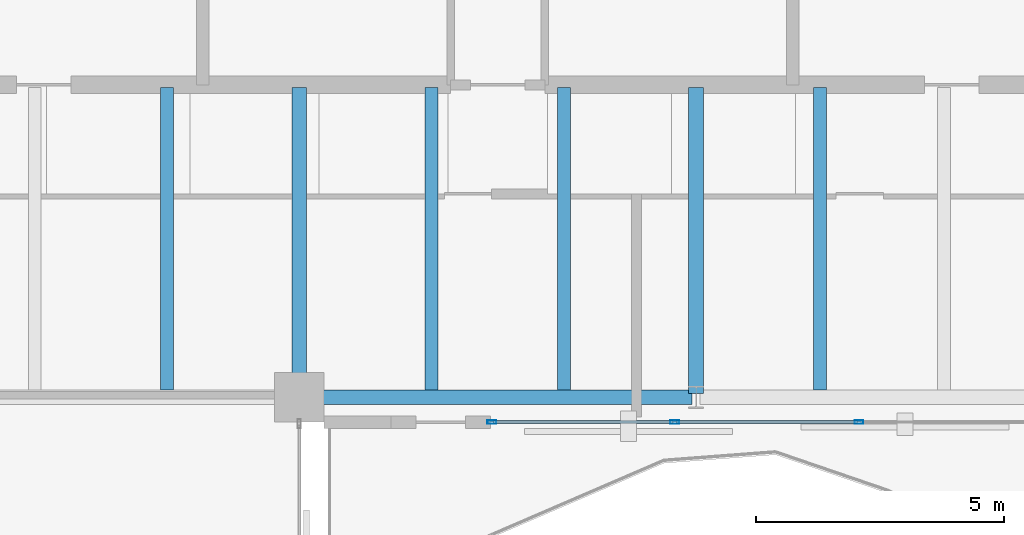
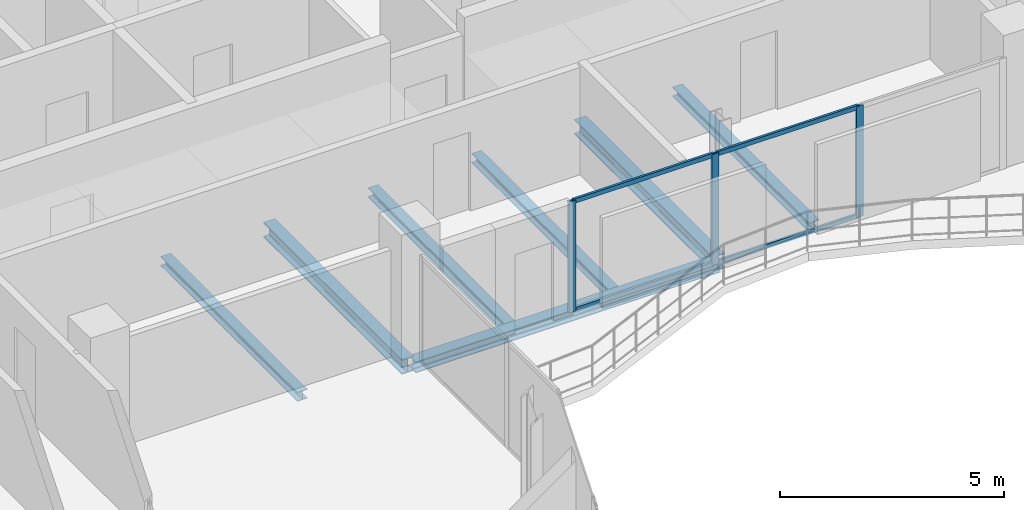
# One storey, part 11 of 23: 7 beams, 7 members, 1 element without a shape of its own.
"""IFC4 building model written with IfcOpenShell, lengths in metres."""

from ifc_helpers import new_model, si_unit, direction, frame, origin, origin_2d, place, context, subcontext, project, spatial, hollow_rectangle, i_section, extrude, material, layer, layer_set, material_profile, profile_set, type_object, element, aggregate, save


model = new_model("IFC4")

# Units and contexts
model_context = context("Model", 3, precision=1e-05, world=origin(), true_north=direction((0.0, 1.0)))
body_context = subcontext(model_context, "Body", "Model", "MODEL_VIEW")
ifc_project = project(units=[si_unit("LENGTHUNIT", "METRE"), si_unit("AREAUNIT", "SQUARE_METRE"), si_unit("VOLUMEUNIT", "CUBIC_METRE"), si_unit("PLANEANGLEUNIT", "RADIAN"), si_unit("MASSUNIT", "GRAM", prefix="KILO")], contexts=[model_context])

# Site, building, storey
site_placement = place(None, origin())
site = spatial("IfcSite", under=ifc_project, at=site_placement, CompositionType="ELEMENT")
building_placement = place(site_placement, origin())
building = spatial("IfcBuilding", under=site, at=building_placement, Name="Catumbela Crestline Tower", CompositionType="ELEMENT")
storey_placement = place(building_placement, frame((0.0, 0.0, 197.4)))
storey = spatial("IfcBuildingStorey", under=building, at=storey_placement, Name="L51", CompositionType="ELEMENT", Elevation=197.4)

# Beams
ifc_material_1 = material(Name="Structural steel S355J2", Category="steel")
ifc_material_profile_1 = material_profile(ifc_material_1, i_section(OverallWidth=0.3, OverallDepth=0.4, WebThickness=0.0135, FlangeThickness=0.024, FilletRadius=0.027, at=origin_2d()), Name="HEB 400")
ifc_profile_set_1 = profile_set([ifc_material_profile_1], Name="Structural steel S355J2")
beam_type_1 = type_object("IfcBeamType", Name="BG-HEB400", PredefinedType="BEAM", material=ifc_profile_set_1)
for number, where, z_axis, x_axis, name in (
    (1, (24.0, 24.58, -0.46), (0.0, 1.0, 0.0), (-1.0, 0.0, 0.0), "L51 Beam BM-L51-SNS18"),
    (2, (32.0, 24.58, -0.46), (0.0, 1.0, 0.0), (-1.0, 0.0, 0.0), "L51 Beam BM-L51-SNS19"),
):
    element("IfcBeam", number, at=place(storey_placement, frame(where, z_axis=z_axis, x_axis=x_axis)), inside=storey, type_object=beam_type_1, Name=name, PredefinedType="BEAM", context=body_context, shape_type="SweptSolid", body=[
        extrude(i_section(OverallWidth=0.3, OverallDepth=0.4, WebThickness=0.0135, FlangeThickness=0.024, FilletRadius=0.027, at=origin_2d()), origin(), (0.0, 0.0, 1.0), 6.17),
    ])
ifc_material_profile_2 = material_profile(ifc_material_1, i_section(OverallWidth=0.26, OverallDepth=0.25, WebThickness=0.0075, FlangeThickness=0.0125, FilletRadius=0.024, at=origin_2d()), Name="HEA 260")
ifc_profile_set_2 = profile_set([ifc_material_profile_2], Name="Structural steel S355J2")
beam_type_2 = type_object("IfcBeamType", Name="BJ-HEA260", PredefinedType="JOIST", material=ifc_profile_set_2)
for number, where, z_axis, x_axis, name in (
    (3, (21.333, 24.647, -0.385), (0.0, 1.0, 0.0), (-1.0, 0.0, 0.0), "L51 Joist JS-L51-SP27"),
    (4, (26.667, 24.647, -0.385), (0.0, 1.0, 0.0), (-1.0, 0.0, 0.0), "L51 Joist JS-L51-SP28"),
    (5, (29.333, 24.647, -0.385), (0.0, 1.0, 0.0), (-1.0, 0.0, 0.0), "L51 Joist JS-L51-SP29"),
    (6, (34.5, 24.647, -0.385), (0.0, 1.0, 0.0), (-1.0, 0.0, 0.0), "L51 Joist JS-L51-SP30"),
):
    element("IfcBeam", number, at=place(storey_placement, frame(where, z_axis=z_axis, x_axis=x_axis)), inside=storey, type_object=beam_type_2, Name=name, PredefinedType="JOIST", context=body_context, shape_type="SweptSolid", body=[
        extrude(i_section(OverallWidth=0.26, OverallDepth=0.25, WebThickness=0.0075, FlangeThickness=0.0125, FilletRadius=0.024, at=origin_2d()), origin(), (0.0, 0.0, 1.0), 6.103),
    ])

# Curtain wall, members
ifc_material_2 = material(Name="Aluminium alloy AW-6060-T66", Category="aluminium")
ifc_layer = layer(ifc_material_2, 0.18, Name="Aluminium alloy AW-6060-T66")
ifc_layer_set = layer_set([ifc_layer], Name="Aluminium alloy AW-6060-T66")
curtain_wall_type = type_object("IfcCurtainWallType", Name="CWU-Z3", PredefinedType="USERDEFINED", material=ifc_layer_set)
curtain_wall_placement = place(storey_placement, origin())
curtain_wall = element("IfcCurtainWall", 7, at=curtain_wall_placement, inside=storey, type_object=curtain_wall_type, Name="L51 Unitised Curtain Wall CW-L51-E3S2", ObjectType="UNITISED", PredefinedType="USERDEFINED")
ifc_material_profile_3 = material_profile(ifc_material_2, hollow_rectangle(XDim=0.065, YDim=0.18, WallThickness=0.004, at=origin_2d()), Name="ALU 180x65x4")
ifc_profile_set_3 = profile_set([ifc_material_profile_3], Name="Aluminium alloy AW-6060-T66")
member_type_1 = type_object("IfcMemberType", Name="MUL-180X65", PredefinedType="MULLION", material=ifc_profile_set_3)
member_1_placement = place(storey_placement, frame((27.8825, 24.0, 0.0), z_axis=(0.0, 0.0, 1.0), x_axis=(0.0, 1.0, 0.0)))
member_1 = element("IfcMember", 8, at=member_1_placement, type_object=member_type_1, Name="CWU-Z3 mullion 1", PredefinedType="MULLION", context=body_context, shape_type="SweptSolid", body=[
    extrude(hollow_rectangle(XDim=0.065, YDim=0.18, WallThickness=0.004, at=origin_2d()), origin(), (0.0, 0.0, 1.0), 3.02),
])
member_2_placement = place(storey_placement, frame((31.5667, 24.0, 0.0), z_axis=(0.0, 0.0, 1.0), x_axis=(0.0, 1.0, 0.0)))
member_2 = element("IfcMember", 9, at=member_2_placement, type_object=member_type_1, Name="CWU-Z3 mullion 2", PredefinedType="MULLION", context=body_context, shape_type="SweptSolid", body=[
    extrude(hollow_rectangle(XDim=0.065, YDim=0.18, WallThickness=0.004, at=origin_2d()), origin(), (0.0, 0.0, 1.0), 3.02),
])
member_3_placement = place(storey_placement, frame((35.2833, 24.0, 0.0), z_axis=(0.0, 0.0, 1.0), x_axis=(0.0, 1.0, 0.0)))
member_3 = element("IfcMember", 10, at=member_3_placement, type_object=member_type_1, Name="CWU-Z3 mullion 3", PredefinedType="MULLION", context=body_context, shape_type="SweptSolid", body=[
    extrude(hollow_rectangle(XDim=0.065, YDim=0.18, WallThickness=0.004, at=origin_2d()), origin(), (0.0, 0.0, 1.0), 3.02),
])

# Beam
ifc_material_profile_4 = material_profile(ifc_material_1, i_section(OverallWidth=0.3, OverallDepth=0.3, WebThickness=0.011, FlangeThickness=0.019, FilletRadius=0.027, at=origin_2d()), Name="HEB 300")
ifc_profile_set_4 = profile_set([ifc_material_profile_4], Name="Structural steel S355J2")
beam_type_3 = type_object("IfcBeamType", Name="BS-HEB300", PredefinedType="SPANDREL", material=ifc_profile_set_4)
beam_placement = place(storey_placement, frame((24.08, 24.5, -0.41), z_axis=(1.0, 0.0, 0.0), x_axis=(0.0, 1.0, 0.0)))
element("IfcBeam", 11, at=beam_placement, inside=storey, type_object=beam_type_3, Name="L51 Spandrel SP-L51-S04", PredefinedType="SPANDREL", context=body_context, shape_type="SweptSolid", body=[
    extrude(i_section(OverallWidth=0.3, OverallDepth=0.3, WebThickness=0.011, FlangeThickness=0.019, FilletRadius=0.027, at=origin_2d()), origin(), (0.0, 0.0, 1.0), 7.84),
])

# Member
ifc_material_profile_5 = material_profile(ifc_material_2, hollow_rectangle(XDim=0.06, YDim=0.12, WallThickness=0.0035, at=origin_2d()), Name="ALU 120x60x3.5")
ifc_profile_set_5 = profile_set([ifc_material_profile_5], Name="Aluminium alloy AW-6060-T66")
member_type_2 = type_object("IfcMemberType", Name="TRN-120X60", PredefinedType="USERDEFINED", material=ifc_profile_set_5)
member_4_placement = place(storey_placement, frame((27.915, 24.0, 0.03), z_axis=(1.0, 0.0, 0.0), x_axis=(0.0, 1.0, 0.0)))
member_4 = element("IfcMember", 12, at=member_4_placement, type_object=member_type_2, Name="CWU-Z3 transom 1.1", ObjectType="TRANSOM", PredefinedType="USERDEFINED", context=body_context, shape_type="SweptSolid", body=[
    extrude(hollow_rectangle(XDim=0.06, YDim=0.12, WallThickness=0.0035, at=origin_2d()), origin(), (0.0, 0.0, 1.0), 3.6192),
])

member_5_placement = place(storey_placement, frame((27.915, 24.0, 2.99), z_axis=(1.0, 0.0, 0.0), x_axis=(0.0, 1.0, 0.0)))
member_5 = element("IfcMember", 13, at=member_5_placement, type_object=member_type_2, Name="CWU-Z3 transom 1.2", ObjectType="TRANSOM", PredefinedType="USERDEFINED", context=body_context, shape_type="SweptSolid", body=[
    extrude(hollow_rectangle(XDim=0.06, YDim=0.12, WallThickness=0.0035, at=origin_2d()), origin(), (0.0, 0.0, 1.0), 3.6192),
])

member_6_placement = place(storey_placement, frame((31.5992, 24.0, 0.03), z_axis=(1.0, 0.0, 0.0), x_axis=(0.0, 1.0, 0.0)))
member_6 = element("IfcMember", 14, at=member_6_placement, type_object=member_type_2, Name="CWU-Z3 transom 2.1", ObjectType="TRANSOM", PredefinedType="USERDEFINED", context=body_context, shape_type="SweptSolid", body=[
    extrude(hollow_rectangle(XDim=0.06, YDim=0.12, WallThickness=0.0035, at=origin_2d()), origin(), (0.0, 0.0, 1.0), 3.6516),
])

member_7_placement = place(storey_placement, frame((31.5992, 24.0, 2.99), z_axis=(1.0, 0.0, 0.0), x_axis=(0.0, 1.0, 0.0)))
member_7 = element("IfcMember", 15, at=member_7_placement, type_object=member_type_2, Name="CWU-Z3 transom 2.2", ObjectType="TRANSOM", PredefinedType="USERDEFINED", context=body_context, shape_type="SweptSolid", body=[
    extrude(hollow_rectangle(XDim=0.06, YDim=0.12, WallThickness=0.0035, at=origin_2d()), origin(), (0.0, 0.0, 1.0), 3.6516),
])

aggregate(curtain_wall, [member_1, member_2, member_3, member_4, member_5, member_6, member_7])

save(model, "model.ifc")
